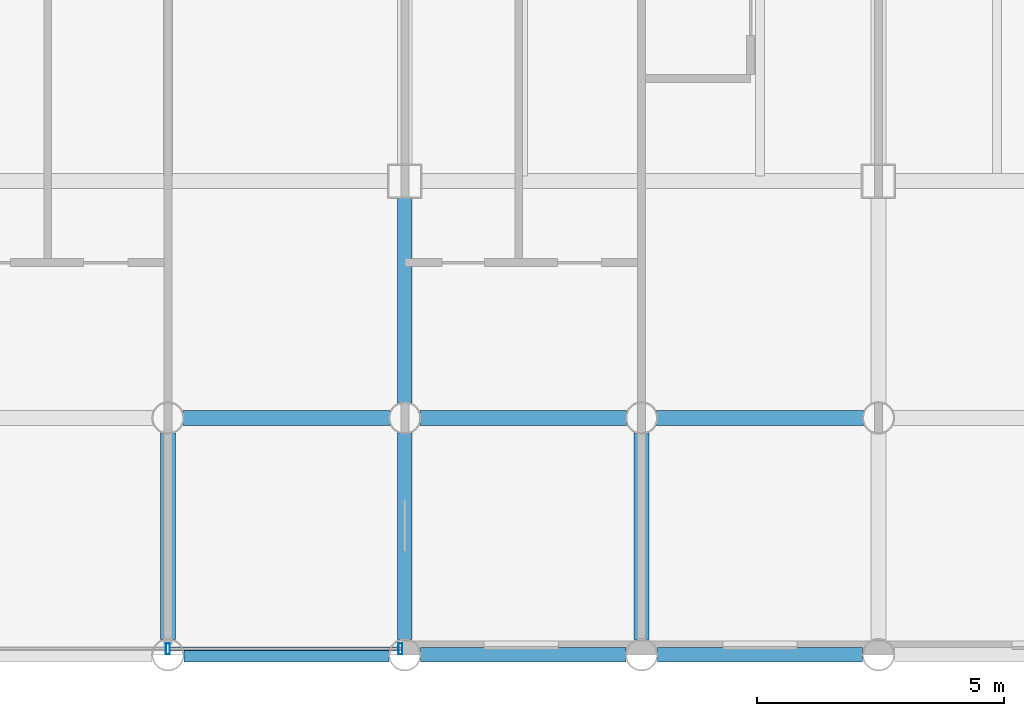
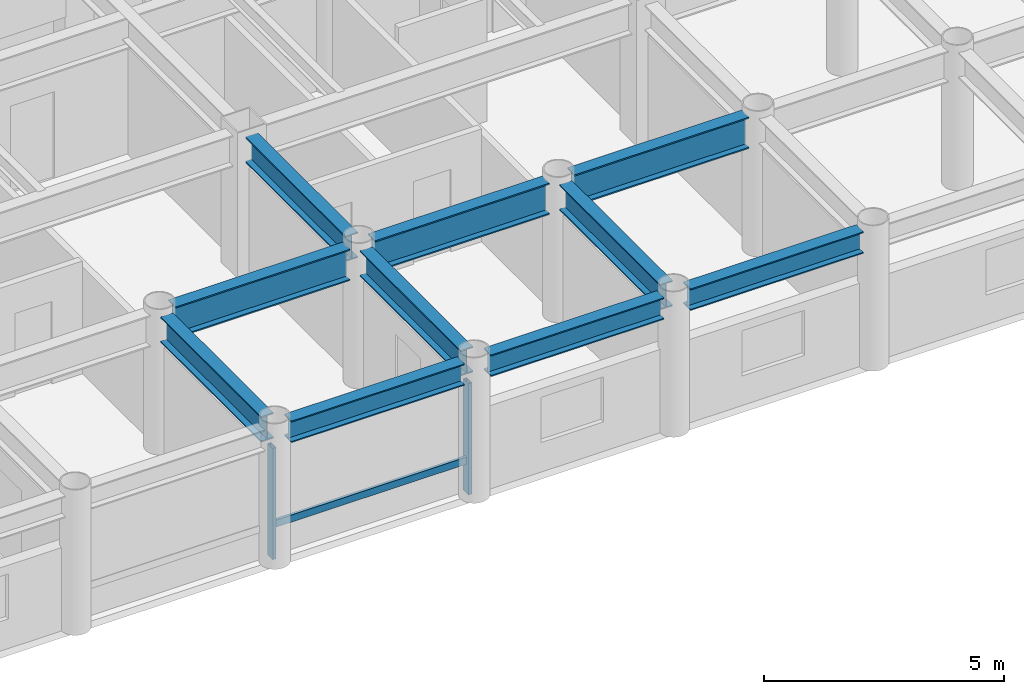
# One storey, part 6 of 20: 10 beams, 3 members, 1 element without a shape of its own.
"""IFC4 building model written with IfcOpenShell, lengths in metres."""

from ifc_helpers import new_model, si_unit, direction, frame, origin, origin_2d, place, context, subcontext, project, spatial, hollow_rectangle, i_section, extrude, material, layer, layer_set, material_profile, profile_set, type_object, element, aggregate, save


model = new_model("IFC4")

# Units and contexts
model_context = context("Model", 3, precision=1e-05, world=origin(), true_north=direction((0.0, 1.0)))
body_context = subcontext(model_context, "Body", "Model", "MODEL_VIEW")
ifc_project = project(units=[si_unit("LENGTHUNIT", "METRE"), si_unit("AREAUNIT", "SQUARE_METRE"), si_unit("VOLUMEUNIT", "CUBIC_METRE"), si_unit("PLANEANGLEUNIT", "RADIAN"), si_unit("MASSUNIT", "GRAM", prefix="KILO")], contexts=[model_context])

# Site, building, storey
site_placement = place(None, origin())
site = spatial("IfcSite", under=ifc_project, at=site_placement, CompositionType="ELEMENT")
building_placement = place(site_placement, origin())
building = spatial("IfcBuilding", under=site, at=building_placement, Name="Kallvorn Hotel Tower", CompositionType="ELEMENT")
storey_placement = place(building_placement, frame((0.0, 0.0, 161.800048828125)))
storey = spatial("IfcBuildingStorey", under=building, at=storey_placement, Name="L40", CompositionType="ELEMENT", Elevation=161.800048828125)

# Beams
ifc_material_1 = material(Name="Structural steel S355JR", Category="steel")
ifc_material_profile_1 = material_profile(ifc_material_1, i_section(OverallWidth=0.300048828125, OverallDepth=0.550048828125, WebThickness=0.014892578125, FlangeThickness=0.029052734375, at=origin_2d()), Name="HE 550 B")
ifc_profile_set_1 = profile_set([ifc_material_profile_1], Name="Structural steel S355JR")
beam_type_1 = type_object("IfcBeamType", Name="BM_HE550B", PredefinedType="SPANDREL", material=ifc_profile_set_1)
for number, where, z_axis, x_axis, name in (
    (1, (0.320068359375, -24.0, 3.244873046875), (1.0, 0.0, 0.0), (0.0, 1.0, 0.0), "L41 Perimeter Spandrel 157"),
    (2, (5.1201171875, -24.0, 3.244873046875), (1.0, 0.0, 0.0), (0.0, 1.0, 0.0), "L41 Perimeter Spandrel 158"),
):
    element("IfcBeam", number, at=place(storey_placement, frame(where, z_axis=z_axis, x_axis=x_axis)), inside=storey, type_object=beam_type_1, Name=name, PredefinedType="SPANDREL", context=body_context, shape_type="SweptSolid", body=[
        extrude(i_section(OverallWidth=0.300048828125, OverallDepth=0.550048828125, WebThickness=0.014892578125, FlangeThickness=0.029052734375, at=origin_2d()), origin(), (0.0, 0.0, 1.0), 4.159912109375),
    ])
beam_1_placement = place(storey_placement, frame((9.919921875, -24.0, 3.244873046875), z_axis=(1.0, 0.0, 0.0), x_axis=(0.0, 1.0, 0.0)))
element("IfcBeam", 3, at=beam_1_placement, inside=storey, type_object=beam_type_1, Name="L41 Perimeter Spandrel 159", PredefinedType="SPANDREL", context=body_context, shape_type="SweptSolid", body=[
    extrude(i_section(OverallWidth=0.300048828125, OverallDepth=0.550048828125, WebThickness=0.014892578125, FlangeThickness=0.029052734375, at=origin_2d()), origin(), (0.0, 0.0, 1.0), 4.16015625),
])
ifc_material_2 = material(Name="Structural steel S355JR", Category="steel")
ifc_material_profile_2 = material_profile(ifc_material_2, i_section(OverallWidth=0.300048828125, OverallDepth=0.64990234375, WebThickness=0.01611328125, FlangeThickness=0.031005859375, at=origin_2d()), Name="HE 650 B")
ifc_profile_set_2 = profile_set([ifc_material_profile_2], Name="Structural steel S355JR")
beam_type_2 = type_object("IfcBeamType", Name="BM_HE650B", PredefinedType="BEAM", material=ifc_profile_set_2)
for number, where, z_axis, x_axis, name in (
    (4, (0.0, -23.695068359375, 3.195068359375), (0.0, 1.0, 0.0), (-1.0, 0.0, 0.0), "L41 Primary Y-Girder 111"),
    (5, (4.800048828125, -23.695068359375, 3.195068359375), (0.0, 1.0, 0.0), (-1.0, 0.0, 0.0), "L41 Primary Y-Girder 114"),
):
    element("IfcBeam", number, at=place(storey_placement, frame(where, z_axis=z_axis, x_axis=x_axis)), inside=storey, type_object=beam_type_2, Name=name, PredefinedType="BEAM", context=body_context, shape_type="SweptSolid", body=[
        extrude(i_section(OverallWidth=0.300048828125, OverallDepth=0.64990234375, WebThickness=0.01611328125, FlangeThickness=0.031005859375, at=origin_2d()), origin(), (0.0, 0.0, 1.0), 4.190185546875),
    ])
beam_2_placement = place(storey_placement, frame((4.800048828125, -18.89501953125, 3.195068359375), z_axis=(0.0, 1.0, 0.0), x_axis=(-1.0, 0.0, 0.0)))
element("IfcBeam", 6, at=beam_2_placement, inside=storey, type_object=beam_type_2, Name="L41 Primary Y-Girder 115", PredefinedType="BEAM", context=body_context, shape_type="SweptSolid", body=[
    extrude(i_section(OverallWidth=0.300048828125, OverallDepth=0.64990234375, WebThickness=0.01611328125, FlangeThickness=0.031005859375, at=origin_2d()), origin(), (0.0, 0.0, 1.0), 4.169921875),
])
beam_3_placement = place(storey_placement, frame((9.60009765625, -23.695068359375, 3.195068359375), z_axis=(0.0, 1.0, 0.0), x_axis=(-1.0, 0.0, 0.0)))
element("IfcBeam", 7, at=beam_3_placement, inside=storey, type_object=beam_type_2, Name="L41 Primary Y-Girder 119", PredefinedType="BEAM", context=body_context, shape_type="SweptSolid", body=[
    extrude(i_section(OverallWidth=0.300048828125, OverallDepth=0.64990234375, WebThickness=0.01611328125, FlangeThickness=0.031005859375, at=origin_2d()), origin(), (0.0, 0.0, 1.0), 4.190185546875),
])
ifc_material_3 = material(Name="Structural steel S355JR", Category="steel")
ifc_material_profile_3 = material_profile(ifc_material_3, i_section(OverallWidth=0.300048828125, OverallDepth=0.800048828125, WebThickness=0.017578125, FlangeThickness=0.032958984375, at=origin_2d()), Name="HE 800 B")
ifc_profile_set_3 = profile_set([ifc_material_profile_3], Name="Structural steel S355JR")
beam_type_3 = type_object("IfcBeamType", Name="BM_HE800B", PredefinedType="BEAM", material=ifc_profile_set_3)
beam_4_placement = place(storey_placement, frame((0.304931640625, -19.199951171875, 3.119873046875), z_axis=(1.0, 0.0, 0.0), x_axis=(0.0, 1.0, 0.0)))
element("IfcBeam", 8, at=beam_4_placement, inside=storey, type_object=beam_type_3, Name="L41 Primary X-Girder 08", PredefinedType="BEAM", context=body_context, shape_type="SweptSolid", body=[
    extrude(i_section(OverallWidth=0.300048828125, OverallDepth=0.800048828125, WebThickness=0.017578125, FlangeThickness=0.032958984375, at=origin_2d()), origin(), (0.0, 0.0, 1.0), 4.190185546875),
])
for number, where, z_axis, x_axis, name in (
    (9, (5.10498046875, -19.199951171875, 3.119873046875), (1.0, 0.0, 0.0), (0.0, 1.0, 0.0), "L41 Primary X-Girder 09"),
    (10, (9.905029296875, -19.199951171875, 3.119873046875), (1.0, 0.0, 0.0), (0.0, 1.0, 0.0), "L41 Primary X-Girder 10"),
):
    element("IfcBeam", number, at=place(storey_placement, frame(where, z_axis=z_axis, x_axis=x_axis)), inside=storey, type_object=beam_type_3, Name=name, PredefinedType="BEAM", context=body_context, shape_type="SweptSolid", body=[
        extrude(i_section(OverallWidth=0.300048828125, OverallDepth=0.800048828125, WebThickness=0.017578125, FlangeThickness=0.032958984375, at=origin_2d()), origin(), (0.0, 0.0, 1.0), 4.18994140625),
    ])

# Curtain wall, members
ifc_material_4 = material(Name="Thermally broken black-anodised aluminium AA 6063-T6", Category="aluminium")
ifc_layer = layer(ifc_material_4, 0.2099609375)
ifc_layer_set = layer_set([ifc_layer], Name="CW_SYS_4_HOTEL_MID")
curtain_wall_type = type_object("IfcCurtainWallType", Name="CW_SYS_4_HOTEL_MID", PredefinedType="USERDEFINED", material=ifc_layer_set)
curtain_wall_placement = place(storey_placement, origin())
curtain_wall = element("IfcCurtainWall", 11, at=curtain_wall_placement, inside=storey, type_object=curtain_wall_type, Name="L40 Dark-Glass Curtain Wall CW-L40-SC", ObjectType="UNITISED CURTAIN WALL", PredefinedType="USERDEFINED")
ifc_material_5 = material(Name="Thermally broken black-anodised aluminium AA 6063-T6", Category="aluminium")
ifc_material_profile_4 = material_profile(ifc_material_5, hollow_rectangle(XDim=0.080078125, YDim=0.219970703125, WallThickness=0.0048828125, at=origin_2d()), Name="MUL 220x80")
ifc_profile_set_4 = profile_set([ifc_material_profile_4], Name="Thermally broken black-anodised aluminium AA 6063-T6")
member_type_1 = type_object("IfcMemberType", Name="CW_MULLION_220x80", PredefinedType="MULLION", material=ifc_profile_set_4)
member_1_placement = place(storey_placement, frame((0.0, -23.8798828125, 0.02001953125), z_axis=(0.0, 0.0, 1.0), x_axis=(1.0, 0.0, 0.0)))
member_1 = element("IfcMember", 12, at=member_1_placement, type_object=member_type_1, Name="CW-L40-SC Mullion 01", PredefinedType="MULLION", context=body_context, shape_type="SweptSolid", body=[
    extrude(hollow_rectangle(XDim=0.080078125, YDim=0.219970703125, WallThickness=0.0048828125, at=origin_2d()), origin(), (0.0, 0.0, 1.0), 2.829833984375),
])
member_2_placement = place(storey_placement, frame((4.7099609375, -23.8798828125, 0.02001953125), z_axis=(0.0, 0.0, 1.0), x_axis=(1.0, 0.0, 0.0)))
member_2 = element("IfcMember", 13, at=member_2_placement, type_object=member_type_1, Name="CW-L40-SC Mullion 02", PredefinedType="MULLION", context=body_context, shape_type="SweptSolid", body=[
    extrude(hollow_rectangle(XDim=0.080078125, YDim=0.219970703125, WallThickness=0.0048828125, at=origin_2d()), origin(), (0.0, 0.0, 1.0), 2.829833984375),
])
ifc_material_6 = material(Name="Thermally broken black-anodised aluminium AA 6063-T6", Category="aluminium")
ifc_material_profile_5 = material_profile(ifc_material_6, hollow_rectangle(XDim=0.070068359375, YDim=0.179931640625, WallThickness=0.00390625, at=origin_2d()), Name="TRN 180x70")
ifc_profile_set_5 = profile_set([ifc_material_profile_5], Name="Thermally broken black-anodised aluminium AA 6063-T6")
member_type_2 = type_object("IfcMemberType", Name="CW_TRANSOM_180x70", PredefinedType="USERDEFINED", material=ifc_profile_set_5)
member_3_placement = place(storey_placement, frame((0.0400390625, -23.8798828125, 0.849853515625), z_axis=(1.0, 0.0, 0.0), x_axis=(0.0, 1.0, 0.0)))
member_3 = element("IfcMember", 14, at=member_3_placement, type_object=member_type_2, Name="CW-L40-SC Transom 01M", ObjectType="TRANSOM", PredefinedType="USERDEFINED", context=body_context, shape_type="SweptSolid", body=[
    extrude(hollow_rectangle(XDim=0.070068359375, YDim=0.179931640625, WallThickness=0.00390625, at=origin_2d()), origin(), (0.0, 0.0, 1.0), 4.669921875),
])
aggregate(curtain_wall, [member_1, member_2, member_3])

save(model, "model.ifc")
